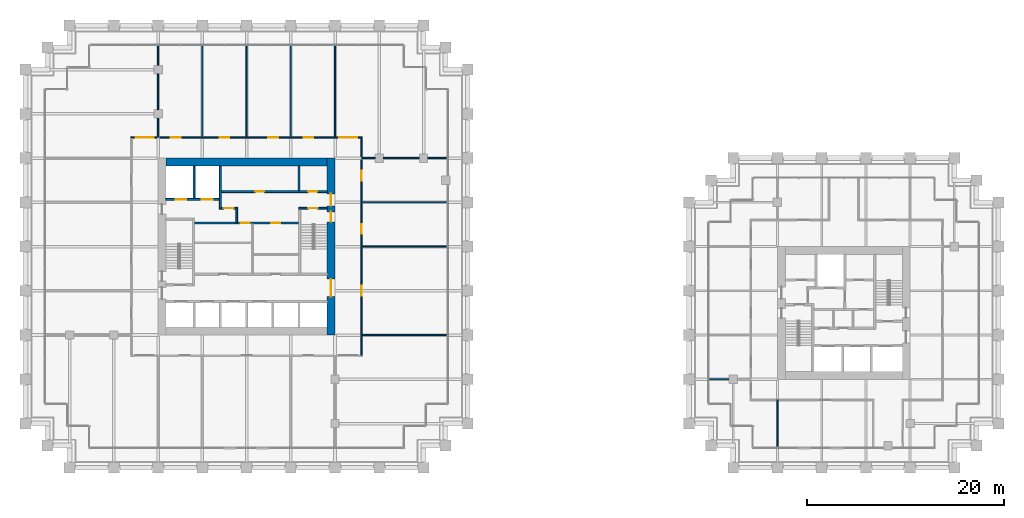
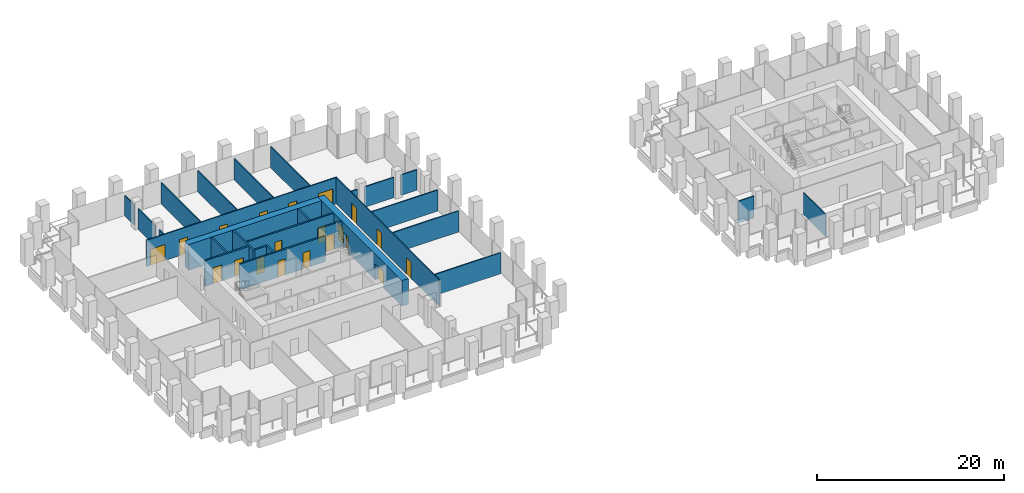
# One storey, part 50 of 55: 28 walls, 20 doors, 20 openings.
"""IFC4 building model written with IfcOpenShell, lengths in metres."""

import ifcopenshell
import ifcopenshell.guid

model = None  # the IFC model being written
_history = None  # IfcOwnerHistory: only IFC2X3 demands one
_inside = {}  # id of a spatial element -> (the spatial element, [elements in it])
_under = {}  # id of a project, library or spatial element -> (it, [spatial elements below it])
_declared = {}  # id of a project -> (the project, [libraries it declares])
_typed = {}  # id of a type object -> (the type object, [elements of that type])
_made_of = {}  # id of a material, layer set ... -> (it, [elements and type objects made of it])


def new_model(schema):
    """Start an empty IFC model of exactly this schema.

    Asked for "IFC4X3", IfcOpenShell would pick the latest addendum, in which some entities
    have other attributes; the version numbers below select the first issue.
    IFC2X3 requires an IfcOwnerHistory on every rooted entity: one is made here for all.
    """
    global model, _history
    if schema == "IFC4X3":
        model = ifcopenshell.file(schema_version=(4, 3, 0, 0))
    else:
        model = ifcopenshell.file(schema=schema)
    _inside.clear()
    _under.clear()
    _declared.clear()
    _typed.clear()
    _made_of.clear()
    _history = None
    if model.schema == "IFC2X3":
        org = make("IfcOrganization", Name="unknown")
        user = make(
            "IfcPersonAndOrganization",
            ThePerson=make("IfcPerson", FamilyName="unknown"),
            TheOrganization=org,
        )
        app = make(
            "IfcApplication",
            ApplicationDeveloper=org,
            Version="unknown",
            ApplicationFullName="unknown",
            ApplicationIdentifier="unknown",
        )
        _history = make(
            "IfcOwnerHistory",
            OwningUser=user,
            OwningApplication=app,
            ChangeAction="ADDED",
            CreationDate=0,
        )
    return model


def make(cls, **values):
    """One entity of the class cls with the attributes given. An attribute that is None is left unset."""
    return model.create_entity(
        cls, **{name: value for name, value in values.items() if value is not None}
    )


def rooted(cls, **values):
    """An entity with a GlobalId (a new one), such as an element, a storey or a relation."""
    return make(cls, GlobalId=ifcopenshell.guid.new(), OwnerHistory=_history, **values)


def si_unit(unit_type, name, prefix=None):
    """IfcSIUnit, for example si_unit("LENGTHUNIT", "METRE", prefix="MILLI")."""
    return make("IfcSIUnit", UnitType=unit_type, Prefix=prefix, Name=name)


def assignment(units):
    """IfcUnitAssignment: the units of a project."""
    return None if units is None else make("IfcUnitAssignment", Units=units)


def point(xyz):
    """IfcCartesianPoint."""
    return None if xyz is None else make("IfcCartesianPoint", Coordinates=xyz)


def direction(xyz):
    """IfcDirection."""
    return None if xyz is None else make("IfcDirection", DirectionRatios=xyz)


def frame(location, z_axis=None, x_axis=None):
    """IfcAxis2Placement3D, a coordinate frame: its origin and axes. An axis left out is left unset."""
    return make(
        "IfcAxis2Placement3D",
        Location=point(location),
        Axis=direction(z_axis),
        RefDirection=direction(x_axis),
    )


def frame_2d(location, x_axis=None):
    """IfcAxis2Placement2D, a coordinate frame in the plane: its origin and x axis."""
    return make(
        "IfcAxis2Placement2D", Location=point(location), RefDirection=direction(x_axis)
    )


def origin():
    """The frame at (0, 0, 0) with its axes left unset."""
    return frame((0.0, 0.0, 0.0))


def place(relative_to, where):
    """IfcLocalPlacement: puts the frame where relative to a parent placement (None: the world)."""
    return make(
        "IfcLocalPlacement", PlacementRelTo=relative_to, RelativePlacement=where
    )


def context(
    kind, dimensions, precision=None, world=None, true_north=None, identifier=None
):
    """IfcGeometricRepresentationContext, for example the 3D "Model" context."""
    return make(
        "IfcGeometricRepresentationContext",
        ContextIdentifier=identifier,
        ContextType=kind,
        CoordinateSpaceDimension=dimensions,
        Precision=precision,
        WorldCoordinateSystem=world,
        TrueNorth=true_north,
    )


def subcontext(parent, identifier, kind, view, scale=None):
    """IfcGeometricRepresentationSubContext, for example "Body" below "Model"."""
    return make(
        "IfcGeometricRepresentationSubContext",
        ContextIdentifier=identifier,
        ContextType=kind,
        ParentContext=parent,
        TargetScale=scale,
        TargetView=view,
    )


def project(units=None, contexts=None):
    """IfcProject with its units and contexts."""
    return rooted(
        "IfcProject",
        Name="project",
        RepresentationContexts=contexts,
        UnitsInContext=assignment(units),
    )


def spatial(cls, under=None, at=None, **own):
    """A site, building, storey or space (cls), placed at a placement, below another one or the project."""
    s = rooted(cls, ObjectPlacement=at, **own)
    if under is not None:
        _under.setdefault(under.id(), (under, []))[1].append(s)
    return s


def profile(cls, at=None, kind="AREA", **sizes):
    """A parametric profile (cls). Its sizes go by their IFC names, for example OverallWidth=200.0."""
    return make(cls, ProfileType=kind, Position=at, **sizes)


def rectangle(**sizes):
    """IfcRectangleProfileDef."""
    return profile("IfcRectangleProfileDef", **sizes)


def extrude(swept, where, along, depth):
    """IfcExtrudedAreaSolid: the profile swept, set in the frame where, extruded along a direction by depth."""
    return make(
        "IfcExtrudedAreaSolid",
        SweptArea=swept,
        Position=where,
        ExtrudedDirection=direction(along),
        Depth=depth,
    )


def shape(context_of_items, identifier, shape_type, items):
    """IfcShapeRepresentation: the items that make up one representation, for example the "Body"."""
    return make(
        "IfcShapeRepresentation",
        ContextOfItems=context_of_items,
        RepresentationIdentifier=identifier,
        RepresentationType=shape_type,
        Items=items,
    )


def material(Name=None, Category=None):
    """IfcMaterial."""
    return make("IfcMaterial", Name=Name, Category=Category)


def layer(
    of_material, thickness, ventilated=None, Name=None, Category=None, Priority=None
):
    """IfcMaterialLayer: one layer of a wall or slab, of a material (None: an air gap)."""
    return make(
        "IfcMaterialLayer",
        Material=of_material,
        LayerThickness=thickness,
        IsVentilated=ventilated,
        Name=Name,
        Category=Category,
        Priority=Priority,
    )


def layer_set(layers, Name=None):
    """IfcMaterialLayerSet."""
    return make("IfcMaterialLayerSet", MaterialLayers=layers, LayerSetName=Name)


def made_of(thing, what):
    """Note that an element or type object is made of a material, layer set ...; save() writes the relation."""
    if what is not None:
        _made_of.setdefault(what.id(), (what, []))[1].append(thing)
    return thing


def type_object(cls, material=None, **own):
    """A type object (cls), such as IfcWallType, which elements share."""
    return made_of(rooted(cls, **own), material)


def element(
    cls,
    number,
    at=None,
    inside=None,
    cuts=None,
    type_object=None,
    material=None,
    context=None,
    identifier="Body",
    shape_type=None,
    held_by="IfcProductDefinitionShape",
    body=None,
    shapes=None,
    **own,
):
    """One element of the class cls, such as IfcWall. Its Tag is "e" and its number.

    at: its placement. inside: the storey or other place that contains it. cuts: it is an
    opening in that element (IfcRelVoidsElement). A single representation is given by context,
    identifier, shape_type and body (its items); several are given by shapes. held_by: the class
    of the entity that holds the representations. save() writes the other relations.
    """
    e = rooted(cls, Tag="e%d" % number, ObjectPlacement=at, **own)
    if body is not None:
        shapes = [shape(context, identifier, shape_type, body)]
    if shapes is not None:
        e.Representation = make(held_by, Representations=shapes)
    if inside is not None:
        _inside.setdefault(inside.id(), (inside, []))[1].append(e)
    if cuts is not None:
        rooted(
            "IfcRelVoidsElement", RelatingBuildingElement=cuts, RelatedOpeningElement=e
        )
    if type_object is not None:
        _typed.setdefault(type_object.id(), (type_object, []))[1].append(e)
    return made_of(e, material)


def fill(opening, filler):
    """IfcRelFillsElement: the door or window that sits in an opening."""
    return rooted(
        "IfcRelFillsElement",
        RelatingOpeningElement=opening,
        RelatedBuildingElement=filler,
    )


def aggregate(whole, parts):
    """IfcRelAggregates: a whole, such as a stair, and the parts it consists of."""
    return rooted("IfcRelAggregates", RelatingObject=whole, RelatedObjects=parts)


def save(model, path):
    """Write the relations noted so far, then the file.

    IfcRelAggregates (storeys below a building ...), IfcRelContainedInSpatialStructure (elements
    in a storey), IfcRelDefinesByType, IfcRelAssociatesMaterial and IfcRelDeclares: one each for
    every whole, place, type object, material and project.
    """
    for whole, parts in _under.values():
        aggregate(whole, parts)
    for where, things in _inside.values():
        rooted(
            "IfcRelContainedInSpatialStructure",
            RelatedElements=things,
            RelatingStructure=where,
        )
    for kind, things in _typed.values():
        rooted("IfcRelDefinesByType", RelatedObjects=things, RelatingType=kind)
    for what, things in _made_of.values():
        rooted("IfcRelAssociatesMaterial", RelatedObjects=things, RelatingMaterial=what)
    for by, libraries in _declared.values():
        rooted("IfcRelDeclares", RelatingContext=by, RelatedDefinitions=libraries)
    model.write(path)


model = new_model("IFC4")

# Units and contexts
model_context = context("Model", 3, precision=1e-05, world=origin(), true_north=direction((0.0, 1.0)))
body_context = subcontext(model_context, "Body", "Model", "MODEL_VIEW")
ifc_project = project(units=[si_unit("LENGTHUNIT", "METRE"), si_unit("AREAUNIT", "SQUARE_METRE"), si_unit("VOLUMEUNIT", "CUBIC_METRE"), si_unit("PLANEANGLEUNIT", "RADIAN"), si_unit("MASSUNIT", "GRAM", prefix="KILO")], contexts=[model_context])

# Site, building, storey
site_placement = place(None, origin())
site = spatial("IfcSite", under=ifc_project, at=site_placement, CompositionType="ELEMENT")
building_placement = place(site_placement, origin())
building = spatial("IfcBuilding", under=site, at=building_placement, Name="Altepetl Exchange Towers", CompositionType="ELEMENT")
storey_placement = place(building_placement, frame((0.0, 0.0, 47.39990234375)))
storey = spatial("IfcBuildingStorey", under=building, at=storey_placement, Name="L10", CompositionType="ELEMENT", Elevation=47.39990234375)

# Wall, openings, doors
ifc_material_1 = material(Name="Concrete C70/85", Category="concrete")
ifc_layer_1 = layer(ifc_material_1, 0.800048828125)
ifc_layer_set_1 = layer_set([ifc_layer_1], Name="Concrete C70/85")
wall_type_1 = type_object("IfcWallType", Name="Core wall 800 reinforced concrete", PredefinedType="SHEAR", material=ifc_layer_set_1)
wall_1_placement = place(storey_placement, frame((58.10009765625, 40.5, 0.0), z_axis=(0.0, 0.0, 1.0), x_axis=(0.0, 1.0, 0.0)))
wall_1 = element("IfcWall", 1, at=wall_1_placement, inside=storey, type_object=wall_type_1, Name="wall:A:L10:K-coreE", PredefinedType="SHEAR", context=body_context, shape_type="SweptSolid", body=[
    extrude(rectangle(XDim=18.0, YDim=0.800048828125, at=frame_2d((9.0, 0.0))), origin(), (0.0, 0.0, 1.0), 3.35009765625),
])
opening_1_placement = place(wall_1_placement, frame((13.14990234375, 0.0, 0.0)))
opening_1 = element("IfcOpeningElement", 2, at=opening_1_placement, cuts=wall_1, Name="Opening L10.A60", PredefinedType="OPENING", context=body_context, shape_type="SweptSolid", body=[
    extrude(rectangle(XDim=1.199951171875, YDim=2.10009765625, at=frame_2d((0.60009765625, 1.050048828125))), frame((0.0, 0.41015625, 0.0), z_axis=(0.0, -1.0, 0.0), x_axis=(1.0, 0.0, 0.0)), (0.0, 0.0, 1.0), 0.820068359375),
])
opening_2_placement = place(wall_1_placement, frame((3.89990234375, 0.0, 0.0)))
opening_2 = element("IfcOpeningElement", 3, at=opening_2_placement, cuts=wall_1, Name="Opening L10.A61", PredefinedType="OPENING", context=body_context, shape_type="SweptSolid", body=[
    extrude(rectangle(XDim=1.800048828125, YDim=2.10009765625, at=frame_2d((0.89990234375, 1.050048828125))), frame((0.0, 0.41015625, 0.0), z_axis=(0.0, -1.0, 0.0), x_axis=(1.0, 0.0, 0.0)), (0.0, 0.0, 1.0), 0.820068359375),
])
opening_3_placement = place(wall_1_placement, frame((11.52490234375, 0.0, 0.0)))
opening_3 = element("IfcOpeningElement", 4, at=opening_3_placement, cuts=wall_1, Name="Opening L10.A66", PredefinedType="OPENING", context=body_context, shape_type="SweptSolid", body=[
    extrude(rectangle(XDim=1.0, YDim=2.10009765625, at=frame_2d((0.5, 1.050048828125))), frame((0.0, 0.41015625, 0.0), z_axis=(0.0, -1.0, 0.0), x_axis=(1.0, 0.0, 0.0)), (0.0, 0.0, 1.0), 0.820068359375),
])
ifc_material_2 = material(Name="Steel and timber fire door", Category="steel")
door_type_1 = type_object("IfcDoorType", Name="Fire door 1000 x 2100 stair and lobby", OperationType="SINGLE_SWING_LEFT", PredefinedType="DOOR", material=ifc_material_2)
door_1_placement = place(opening_3_placement, origin())
door_1 = element("IfcDoor", 5, at=door_1_placement, inside=storey, type_object=door_type_1, Name="door:A:L10:K-dS2x", OperationType="SINGLE_SWING_RIGHT", OverallHeight=2.10009765625, OverallWidth=1.0, PredefinedType="DOOR", context=body_context, shape_type="SweptSolid", body=[
    extrude(rectangle(XDim=1.0, YDim=2.10009765625, at=frame_2d((0.5, 1.050048828125))), frame((0.0, 0.02490234375, 0.0), z_axis=(0.0, -1.0, 0.0), x_axis=(1.0, 0.0, 0.0)), (0.0, 0.0, 1.0), 0.050048828125),
])
fill(opening_3, door_1)
door_type_2 = type_object("IfcDoorType", Name="Fire door 1200 x 2100 lobby entry", OperationType="SINGLE_SWING_LEFT", PredefinedType="DOOR", material=ifc_material_2)
door_2_placement = place(opening_1_placement, origin())
door_2 = element("IfcDoor", 6, at=door_2_placement, inside=storey, type_object=door_type_2, Name="door:A:L10:K-dLNE", OperationType="SINGLE_SWING_RIGHT", OverallHeight=2.10009765625, OverallWidth=1.199951171875, PredefinedType="DOOR", context=body_context, shape_type="SweptSolid", body=[
    extrude(rectangle(XDim=1.199951171875, YDim=2.10009765625, at=frame_2d((0.60009765625, 1.050048828125))), frame((0.0, 0.02490234375, 0.0), z_axis=(0.0, -1.0, 0.0), x_axis=(1.0, 0.0, 0.0)), (0.0, 0.0, 1.0), 0.050048828125),
])
fill(opening_1, door_2)
door_type_3 = type_object("IfcDoorType", Name="Fire door 1800 x 2100 lobby entry", OperationType="DOUBLE_DOOR_SINGLE_SWING", PredefinedType="DOOR", material=ifc_material_2)
door_3_placement = place(opening_2_placement, origin())
door_3 = element("IfcDoor", 7, at=door_3_placement, inside=storey, type_object=door_type_3, Name="door:A:L10:K-dLSE", OperationType="DOUBLE_DOOR_SINGLE_SWING", OverallHeight=2.10009765625, OverallWidth=1.800048828125, PredefinedType="DOOR", context=body_context, shape_type="SweptSolid", body=[
    extrude(rectangle(XDim=1.800048828125, YDim=2.10009765625, at=frame_2d((0.89990234375, 1.050048828125))), frame((0.0, 0.02490234375, 0.0), z_axis=(0.0, -1.0, 0.0), x_axis=(1.0, 0.0, 0.0)), (0.0, 0.0, 1.0), 0.050048828125),
])
fill(opening_2, door_3)

# Walls
wall_2_placement = place(storey_placement, frame((41.300048828125, 58.10009765625, 0.0)))
element("IfcWall", 8, at=wall_2_placement, inside=storey, type_object=wall_type_1, Name="wall:A:L10:K-coreN", PredefinedType="SHEAR", context=body_context, shape_type="SweptSolid", body=[
    extrude(rectangle(XDim=16.39990234375, YDim=0.800048828125, at=frame_2d((8.199951171875, 0.0))), origin(), (0.0, 0.0, 1.0), 3.35009765625),
])
ifc_material_3 = material(Name="Concrete blockwork", Category="masonry")
ifc_layer_2 = layer(ifc_material_3, 0.199951171875)
ifc_layer_set_2 = layer_set([ifc_layer_2], Name="Concrete blockwork")
wall_type_2 = type_object("IfcWallType", Name="Lobby wall 200 blockwork", PredefinedType="PARTITIONING", material=ifc_layer_set_2)
wall_3_placement = place(storey_placement, frame((48.5, 51.89990234375, 0.0), z_axis=(0.0, 0.0, 1.0), x_axis=(0.0, 1.0, 0.0)))
element("IfcWall", 9, at=wall_3_placement, inside=storey, type_object=wall_type_2, Name="wall:A:L10:K-ffE", PredefinedType="PARTITIONING", context=body_context, shape_type="SweptSolid", body=[
    extrude(rectangle(XDim=1.60009765625, YDim=0.199951171875, at=frame_2d((0.800048828125, 0.0))), origin(), (0.0, 0.0, 1.0), 3.35009765625),
])

# Wall, opening, door
wall_4_placement = place(storey_placement, frame((46.933349609375, 53.39990234375, 0.0)))
wall_4 = element("IfcWall", 10, at=wall_4_placement, inside=storey, type_object=wall_type_2, Name="wall:A:L10:K-ffN", PredefinedType="PARTITIONING", context=body_context, shape_type="SweptSolid", body=[
    extrude(rectangle(XDim=1.466552734375, YDim=0.199951171875, at=frame_2d((0.7333984375, 0.0))), origin(), (0.0, 0.0, 1.0), 3.35009765625),
])
opening_4_placement = place(wall_4_placement, frame((0.2666015625, 0.0, 0.0)))
opening_4 = element("IfcOpeningElement", 11, at=opening_4_placement, cuts=wall_4, Name="Opening L10.A67", PredefinedType="OPENING", context=body_context, shape_type="SweptSolid", body=[
    extrude(rectangle(XDim=1.0, YDim=2.10009765625, at=frame_2d((0.5, 1.050048828125))), frame((0.0, 0.10986328125, 0.0), z_axis=(0.0, -1.0, 0.0), x_axis=(1.0, 0.0, 0.0)), (0.0, 0.0, 1.0), 0.219970703125),
])
door_4_placement = place(opening_4_placement, frame((1.0, 0.0, 0.0), x_axis=(-1.0, 0.0, 0.0)))
door_4 = element("IfcDoor", 12, at=door_4_placement, inside=storey, type_object=door_type_1, Name="door:A:L10:K-dffN", OperationType="SINGLE_SWING_RIGHT", OverallHeight=2.10009765625, OverallWidth=1.0, PredefinedType="DOOR", context=body_context, shape_type="SweptSolid", body=[
    extrude(rectangle(XDim=1.0, YDim=2.10009765625, at=frame_2d((0.5, 1.050048828125))), frame((0.0, 0.02490234375, 0.0), z_axis=(0.0, -1.0, 0.0), x_axis=(1.0, 0.0, 0.0)), (0.0, 0.0, 1.0), 0.050048828125),
])
fill(opening_4, door_4)

# Wall, openings, doors
wall_5_placement = place(storey_placement, frame((44.199951171875, 51.89990234375, 0.0)))
wall_5 = element("IfcWall", 13, at=wall_5_placement, inside=storey, type_object=wall_type_2, Name="wall:A:L10:K-zoneN", PredefinedType="PARTITIONING", context=body_context, shape_type="SweptSolid", body=[
    extrude(rectangle(XDim=10.60009765625, YDim=0.199951171875, at=frame_2d((5.300048828125, 0.0))), origin(), (0.0, 0.0, 1.0), 3.35009765625),
])
opening_5_placement = place(wall_5_placement, frame((4.72509765625, 0.0, 0.0)))
opening_5 = element("IfcOpeningElement", 14, at=opening_5_placement, cuts=wall_5, Name="Opening L10.A72", PredefinedType="OPENING", context=body_context, shape_type="SweptSolid", body=[
    extrude(rectangle(XDim=0.89990234375, YDim=2.10009765625, at=frame_2d((0.449951171875, 1.050048828125))), frame((0.0, 0.10986328125, 0.0), z_axis=(0.0, -1.0, 0.0), x_axis=(1.0, 0.0, 0.0)), (0.0, 0.0, 1.0), 0.219970703125),
])
opening_6_placement = place(wall_5_placement, frame((7.800048828125, 0.0, 0.0)))
opening_6 = element("IfcOpeningElement", 15, at=opening_6_placement, cuts=wall_5, Name="Opening L10.A74", PredefinedType="OPENING", context=body_context, shape_type="SweptSolid", body=[
    extrude(rectangle(XDim=0.89990234375, YDim=2.10009765625, at=frame_2d((0.449951171875, 1.050048828125))), frame((0.0, 0.10986328125, 0.0), z_axis=(0.0, -1.0, 0.0), x_axis=(1.0, 0.0, 0.0)), (0.0, 0.0, 1.0), 0.219970703125),
])
door_type_4 = type_object("IfcDoorType", Name="Fire door 900 x 2100 service room", OperationType="SINGLE_SWING_LEFT", PredefinedType="DOOR", material=ifc_material_2)
door_5_placement = place(opening_5_placement, frame((0.89990234375, 0.0, 0.0), x_axis=(-1.0, 0.0, 0.0)))
door_5 = element("IfcDoor", 16, at=door_5_placement, inside=storey, type_object=door_type_4, Name="door:A:L10:K-dz2", OperationType="SINGLE_SWING_RIGHT", OverallHeight=2.10009765625, OverallWidth=0.89990234375, PredefinedType="DOOR", context=body_context, shape_type="SweptSolid", body=[
    extrude(rectangle(XDim=0.89990234375, YDim=2.10009765625, at=frame_2d((0.449951171875, 1.050048828125))), frame((0.0, 0.02490234375, 0.0), z_axis=(0.0, -1.0, 0.0), x_axis=(1.0, 0.0, 0.0)), (0.0, 0.0, 1.0), 0.050048828125),
])
fill(opening_5, door_5)
door_6_placement = place(opening_6_placement, frame((0.89990234375, 0.0, 0.0), x_axis=(-1.0, 0.0, 0.0)))
door_6 = element("IfcDoor", 17, at=door_6_placement, inside=storey, type_object=door_type_4, Name="door:A:L10:K-dz4", OperationType="SINGLE_SWING_LEFT", OverallHeight=2.10009765625, OverallWidth=0.89990234375, PredefinedType="DOOR", context=body_context, shape_type="SweptSolid", body=[
    extrude(rectangle(XDim=0.89990234375, YDim=2.10009765625, at=frame_2d((0.449951171875, 1.050048828125))), frame((0.0, 0.02490234375, 0.0), z_axis=(0.0, -1.0, 0.0), x_axis=(1.0, 0.0, 0.0)), (0.0, 0.0, 1.0), 0.050048828125),
])
fill(opening_6, door_6)

# Walls
ifc_material_4 = material(Name="Gypsum board on steel studs", Category="steel")
ifc_layer_3 = layer(ifc_material_4, 0.125)
ifc_layer_set_3 = layer_set([ifc_layer_3], Name="Gypsum board on steel studs")
wall_type_3 = type_object("IfcWallType", Name="Partition 125 gypsum board on steel studs", PredefinedType="PARTITIONING", material=ifc_layer_set_3)
for number, where, name in (
    (18, (61.199951171875, 40.5, 0.0), "wall:A:L10:P05"),
    (19, (61.199951171875, 49.5, 0.0), "wall:A:L10:P07"),
    (20, (61.199951171875, 54.0, 0.0), "wall:A:L10:P09"),
):
    element("IfcWall", number, at=place(storey_placement, frame(where)), inside=storey, type_object=wall_type_3, Name=name, PredefinedType="PARTITIONING", context=body_context, shape_type="SweptSolid", body=[
        extrude(rectangle(XDim=8.699951171875, YDim=0.125, at=frame_2d((4.35009765625, 0.0))), origin(), (0.0, 0.0, 1.0), 2.76611328125),
    ])
wall_6_placement = place(storey_placement, frame((61.199951171875, 58.5, 0.0)))
element("IfcWall", 21, at=wall_6_placement, inside=storey, type_object=wall_type_3, Name="wall:A:L10:P11", PredefinedType="PARTITIONING", context=body_context, shape_type="SweptSolid", body=[
    extrude(rectangle(XDim=1.375, YDim=0.125, at=frame_2d((0.6875, 0.0))), origin(), (0.0, 0.0, 1.0), 2.676025390625),
])
wall_7_placement = place(storey_placement, frame((63.425048828125, 58.5, 0.0)))
element("IfcWall", 22, at=wall_7_placement, inside=storey, type_object=wall_type_3, Name="wall:A:L10:P12", PredefinedType="PARTITIONING", context=body_context, shape_type="SweptSolid", body=[
    extrude(rectangle(XDim=3.64990234375, YDim=0.125, at=frame_2d((1.824951171875, 0.0))), origin(), (0.0, 0.0, 1.0), 2.676025390625),
])
wall_8_placement = place(storey_placement, frame((67.925048828125, 58.5, 0.0)))
element("IfcWall", 23, at=wall_8_placement, inside=storey, type_object=wall_type_3, Name="wall:A:L10:P13", PredefinedType="PARTITIONING", context=body_context, shape_type="SweptSolid", body=[
    extrude(rectangle(XDim=1.974853515625, YDim=0.125, at=frame_2d((0.9873046875, 0.0))), origin(), (0.0, 0.0, 1.0), 2.676025390625),
])

# Wall, openings, doors
wall_9_placement = place(storey_placement, frame((37.737548828125, 60.60009765625, 0.0)))
wall_9 = element("IfcWall", 24, at=wall_9_placement, inside=storey, type_object=wall_type_3, Name="wall:A:L10:P14", PredefinedType="PARTITIONING", context=body_context, shape_type="SweptSolid", body=[
    extrude(rectangle(XDim=23.52490234375, YDim=0.125, at=frame_2d((11.762451171875, 0.0))), origin(), (0.0, 0.0, 1.0), 3.4501953125),
])
opening_7_placement = place(wall_9_placement, frame((21.21240234375, 0.0, 0.0)))
opening_7 = element("IfcOpeningElement", 25, at=opening_7_placement, cuts=wall_9, Name="Opening L10.A10", PredefinedType="OPENING", context=body_context, shape_type="SweptSolid", body=[
    extrude(rectangle(XDim=1.800048828125, YDim=2.10009765625, at=frame_2d((0.89990234375, 1.050048828125))), frame((0.0, 0.072509765625, 0.0), z_axis=(0.0, -1.0, 0.0), x_axis=(1.0, 0.0, 0.0)), (0.0, 0.0, 1.0), 0.14501953125),
])
opening_8_placement = place(wall_9_placement, frame((17.5576171875, 0.0, 0.0)))
opening_8 = element("IfcOpeningElement", 26, at=opening_8_placement, cuts=wall_9, Name="Opening L10.A11", PredefinedType="OPENING", context=body_context, shape_type="SweptSolid", body=[
    extrude(rectangle(XDim=1.0, YDim=2.10009765625, at=frame_2d((0.5, 1.050048828125))), frame((0.0, 0.072509765625, 0.0), z_axis=(0.0, -1.0, 0.0), x_axis=(1.0, 0.0, 0.0)), (0.0, 0.0, 1.0), 0.14501953125),
])
opening_9_placement = place(wall_9_placement, frame((13.967529296875, 0.0, 0.0)))
opening_9 = element("IfcOpeningElement", 27, at=opening_9_placement, cuts=wall_9, Name="Opening L10.A12", PredefinedType="OPENING", context=body_context, shape_type="SweptSolid", body=[
    extrude(rectangle(XDim=1.0, YDim=2.10009765625, at=frame_2d((0.5, 1.050048828125))), frame((0.0, 0.072509765625, 0.0), z_axis=(0.0, -1.0, 0.0), x_axis=(1.0, 0.0, 0.0)), (0.0, 0.0, 1.0), 0.14501953125),
])
opening_10_placement = place(wall_9_placement, frame((9.012451171875, 0.0, 0.0)))
opening_10 = element("IfcOpeningElement", 28, at=opening_10_placement, cuts=wall_9, Name="Opening L10.A13", PredefinedType="OPENING", context=body_context, shape_type="SweptSolid", body=[
    extrude(rectangle(XDim=1.0, YDim=2.10009765625, at=frame_2d((0.5, 1.050048828125))), frame((0.0, 0.072509765625, 0.0), z_axis=(0.0, -1.0, 0.0), x_axis=(1.0, 0.0, 0.0)), (0.0, 0.0, 1.0), 0.14501953125),
])
opening_11_placement = place(wall_9_placement, frame((4.0576171875, 0.0, 0.0)))
opening_11 = element("IfcOpeningElement", 29, at=opening_11_placement, cuts=wall_9, Name="Opening L10.A14", PredefinedType="OPENING", context=body_context, shape_type="SweptSolid", body=[
    extrude(rectangle(XDim=1.0, YDim=2.10009765625, at=frame_2d((0.5, 1.050048828125))), frame((0.0, 0.072509765625, 0.0), z_axis=(0.0, -1.0, 0.0), x_axis=(1.0, 0.0, 0.0)), (0.0, 0.0, 1.0), 0.14501953125),
])
opening_12_placement = place(wall_9_placement, frame((0.512451171875, 0.0, 0.0)))
opening_12 = element("IfcOpeningElement", 30, at=opening_12_placement, cuts=wall_9, Name="Opening L10.A15", PredefinedType="OPENING", context=body_context, shape_type="SweptSolid", body=[
    extrude(rectangle(XDim=1.800048828125, YDim=2.10009765625, at=frame_2d((0.89990234375, 1.050048828125))), frame((0.0, 0.072509765625, 0.0), z_axis=(0.0, -1.0, 0.0), x_axis=(1.0, 0.0, 0.0)), (0.0, 0.0, 1.0), 0.14501953125),
])
door_type_5 = type_object("IfcDoorType", Name="Fire door 1000 x 2100 single leaf", OperationType="SINGLE_SWING_LEFT", PredefinedType="DOOR", material=ifc_material_2)
door_7_placement = place(opening_8_placement, origin())
door_7 = element("IfcDoor", 31, at=door_7_placement, inside=storey, type_object=door_type_5, Name="door:A:L10:11", OperationType="SINGLE_SWING_RIGHT", OverallHeight=2.10009765625, OverallWidth=1.0, PredefinedType="DOOR", context=body_context, shape_type="SweptSolid", body=[
    extrude(rectangle(XDim=1.0, YDim=2.10009765625, at=frame_2d((0.5, 1.050048828125))), frame((0.0, 0.02490234375, 0.0), z_axis=(0.0, -1.0, 0.0), x_axis=(1.0, 0.0, 0.0)), (0.0, 0.0, 1.0), 0.050048828125),
])
fill(opening_8, door_7)
door_8_placement = place(opening_9_placement, origin())
door_8 = element("IfcDoor", 32, at=door_8_placement, inside=storey, type_object=door_type_5, Name="door:A:L10:12", OperationType="SINGLE_SWING_LEFT", OverallHeight=2.10009765625, OverallWidth=1.0, PredefinedType="DOOR", context=body_context, shape_type="SweptSolid", body=[
    extrude(rectangle(XDim=1.0, YDim=2.10009765625, at=frame_2d((0.5, 1.050048828125))), frame((0.0, 0.02490234375, 0.0), z_axis=(0.0, -1.0, 0.0), x_axis=(1.0, 0.0, 0.0)), (0.0, 0.0, 1.0), 0.050048828125),
])
fill(opening_9, door_8)
door_9_placement = place(opening_10_placement, origin())
door_9 = element("IfcDoor", 33, at=door_9_placement, inside=storey, type_object=door_type_5, Name="door:A:L10:13", OperationType="SINGLE_SWING_RIGHT", OverallHeight=2.10009765625, OverallWidth=1.0, PredefinedType="DOOR", context=body_context, shape_type="SweptSolid", body=[
    extrude(rectangle(XDim=1.0, YDim=2.10009765625, at=frame_2d((0.5, 1.050048828125))), frame((0.0, 0.02490234375, 0.0), z_axis=(0.0, -1.0, 0.0), x_axis=(1.0, 0.0, 0.0)), (0.0, 0.0, 1.0), 0.050048828125),
])
fill(opening_10, door_9)
door_10_placement = place(opening_11_placement, origin())
door_10 = element("IfcDoor", 34, at=door_10_placement, inside=storey, type_object=door_type_5, Name="door:A:L10:14", OperationType="SINGLE_SWING_LEFT", OverallHeight=2.10009765625, OverallWidth=1.0, PredefinedType="DOOR", context=body_context, shape_type="SweptSolid", body=[
    extrude(rectangle(XDim=1.0, YDim=2.10009765625, at=frame_2d((0.5, 1.050048828125))), frame((0.0, 0.02490234375, 0.0), z_axis=(0.0, -1.0, 0.0), x_axis=(1.0, 0.0, 0.0)), (0.0, 0.0, 1.0), 0.050048828125),
])
fill(opening_11, door_10)
door_type_6 = type_object("IfcDoorType", Name="Fire door 1800 x 2100 double leaf", OperationType="DOUBLE_DOOR_SINGLE_SWING", PredefinedType="DOOR", material=ifc_material_2)
door_11_placement = place(opening_7_placement, origin())
door_11 = element("IfcDoor", 35, at=door_11_placement, inside=storey, type_object=door_type_6, Name="door:A:L10:10", OperationType="DOUBLE_DOOR_SINGLE_SWING", OverallHeight=2.10009765625, OverallWidth=1.800048828125, PredefinedType="DOOR", context=body_context, shape_type="SweptSolid", body=[
    extrude(rectangle(XDim=1.800048828125, YDim=2.10009765625, at=frame_2d((0.89990234375, 1.050048828125))), frame((0.0, 0.02490234375, 0.0), z_axis=(0.0, -1.0, 0.0), x_axis=(1.0, 0.0, 0.0)), (0.0, 0.0, 1.0), 0.050048828125),
])
fill(opening_7, door_11)
door_12_placement = place(opening_12_placement, origin())
door_12 = element("IfcDoor", 36, at=door_12_placement, inside=storey, type_object=door_type_6, Name="door:A:L10:15", OperationType="DOUBLE_DOOR_SINGLE_SWING", OverallHeight=2.10009765625, OverallWidth=1.800048828125, PredefinedType="DOOR", context=body_context, shape_type="SweptSolid", body=[
    extrude(rectangle(XDim=1.800048828125, YDim=2.10009765625, at=frame_2d((0.89990234375, 1.050048828125))), frame((0.0, 0.02490234375, 0.0), z_axis=(0.0, -1.0, 0.0), x_axis=(1.0, 0.0, 0.0)), (0.0, 0.0, 1.0), 0.050048828125),
])
fill(opening_12, door_12)

# Walls
wall_10_placement = place(storey_placement, frame((40.5, 60.60009765625, 0.0), z_axis=(0.0, 0.0, 1.0), x_axis=(0.0, 1.0, 0.0)))
element("IfcWall", 37, at=wall_10_placement, inside=storey, type_object=wall_type_3, Name="wall:A:L10:P17", PredefinedType="PARTITIONING", context=body_context, shape_type="SweptSolid", body=[
    extrude(rectangle(XDim=1.974853515625, YDim=0.125, at=frame_2d((0.9873046875, 0.0))), origin(), (0.0, 0.0, 1.0), 2.676025390625),
])
wall_11_placement = place(storey_placement, frame((40.5, 63.425048828125, 0.0), z_axis=(0.0, 0.0, 1.0), x_axis=(0.0, 1.0, 0.0)))
element("IfcWall", 38, at=wall_11_placement, inside=storey, type_object=wall_type_3, Name="wall:A:L10:P18", PredefinedType="PARTITIONING", context=body_context, shape_type="SweptSolid", body=[
    extrude(rectangle(XDim=3.64990234375, YDim=0.125, at=frame_2d((1.824951171875, 0.0))), origin(), (0.0, 0.0, 1.0), 2.676025390625),
])
wall_12_placement = place(storey_placement, frame((40.5, 67.925048828125, 0.0), z_axis=(0.0, 0.0, 1.0), x_axis=(0.0, 1.0, 0.0)))
element("IfcWall", 39, at=wall_12_placement, inside=storey, type_object=wall_type_3, Name="wall:A:L10:P19", PredefinedType="PARTITIONING", context=body_context, shape_type="SweptSolid", body=[
    extrude(rectangle(XDim=1.974853515625, YDim=0.125, at=frame_2d((0.9873046875, 0.0))), origin(), (0.0, 0.0, 1.0), 2.676025390625),
])
for number, where, z_axis, x_axis, name in (
    (40, (45.0, 60.60009765625, 0.0), (0.0, 0.0, 1.0), (0.0, 1.0, 0.0), "wall:A:L10:P21"),
    (41, (49.5, 60.60009765625, 0.0), (0.0, 0.0, 1.0), (0.0, 1.0, 0.0), "wall:A:L10:P22"),
    (42, (54.0, 60.60009765625, 0.0), (0.0, 0.0, 1.0), (0.0, 1.0, 0.0), "wall:A:L10:P24"),
    (43, (58.5, 60.60009765625, 0.0), (0.0, 0.0, 1.0), (0.0, 1.0, 0.0), "wall:A:L10:P28"),
):
    element("IfcWall", number, at=place(storey_placement, frame(where, z_axis=z_axis, x_axis=x_axis)), inside=storey, type_object=wall_type_3, Name=name, PredefinedType="PARTITIONING", context=body_context, shape_type="SweptSolid", body=[
        extrude(rectangle(XDim=9.2998046875, YDim=0.125, at=frame_2d((4.64990234375, 0.0))), origin(), (0.0, 0.0, 1.0), 2.76611328125),
    ])

# Wall, openings, doors
wall_13_placement = place(storey_placement, frame((61.199951171875, 38.46240234375, 0.0), z_axis=(0.0, 0.0, 1.0), x_axis=(0.0, 1.0, 0.0)))
wall_13 = element("IfcWall", 44, at=wall_13_placement, inside=storey, type_object=wall_type_3, Name="wall:A:L10:P29", PredefinedType="PARTITIONING", context=body_context, shape_type="SweptSolid", body=[
    extrude(rectangle(XDim=22.0751953125, YDim=0.125, at=frame_2d((11.03759765625, 0.0))), origin(), (0.0, 0.0, 1.0), 3.4501953125),
])
opening_13_placement = place(wall_13_placement, frame((6.03759765625, 0.0, 0.0)))
opening_13 = element("IfcOpeningElement", 45, at=opening_13_placement, cuts=wall_13, Name="Opening L10.A07", PredefinedType="OPENING", context=body_context, shape_type="SweptSolid", body=[
    extrude(rectangle(XDim=1.0, YDim=2.10009765625, at=frame_2d((0.5, 1.050048828125))), frame((0.0, 0.072509765625, 0.0), z_axis=(0.0, -1.0, 0.0), x_axis=(1.0, 0.0, 0.0)), (0.0, 0.0, 1.0), 0.14501953125),
])
opening_14_placement = place(wall_13_placement, frame((12.33251953125, 0.0, 0.0)))
opening_14 = element("IfcOpeningElement", 46, at=opening_14_placement, cuts=wall_13, Name="Opening L10.A08", PredefinedType="OPENING", context=body_context, shape_type="SweptSolid", body=[
    extrude(rectangle(XDim=1.0, YDim=2.10009765625, at=frame_2d((0.5, 1.050048828125))), frame((0.0, 0.072509765625, 0.0), z_axis=(0.0, -1.0, 0.0), x_axis=(1.0, 0.0, 0.0)), (0.0, 0.0, 1.0), 0.14501953125),
])
opening_15_placement = place(wall_13_placement, frame((17.742431640625, 0.0, 0.0)))
opening_15 = element("IfcOpeningElement", 47, at=opening_15_placement, cuts=wall_13, Name="Opening L10.A09", PredefinedType="OPENING", context=body_context, shape_type="SweptSolid", body=[
    extrude(rectangle(XDim=1.0, YDim=2.10009765625, at=frame_2d((0.5, 1.050048828125))), frame((0.0, 0.072509765625, 0.0), z_axis=(0.0, -1.0, 0.0), x_axis=(1.0, 0.0, 0.0)), (0.0, 0.0, 1.0), 0.14501953125),
])
door_13_placement = place(opening_13_placement, frame((1.0, 0.0, 0.0), x_axis=(-1.0, 0.0, 0.0)))
door_13 = element("IfcDoor", 48, at=door_13_placement, inside=storey, type_object=door_type_5, Name="door:A:L10:07", OperationType="SINGLE_SWING_RIGHT", OverallHeight=2.10009765625, OverallWidth=1.0, PredefinedType="DOOR", context=body_context, shape_type="SweptSolid", body=[
    extrude(rectangle(XDim=1.0, YDim=2.10009765625, at=frame_2d((0.5, 1.050048828125))), frame((0.0, 0.02490234375, 0.0), z_axis=(0.0, -1.0, 0.0), x_axis=(1.0, 0.0, 0.0)), (0.0, 0.0, 1.0), 0.050048828125),
])
fill(opening_13, door_13)
door_14_placement = place(opening_14_placement, frame((1.0, 0.0, 0.0), x_axis=(-1.0, 0.0, 0.0)))
door_14 = element("IfcDoor", 49, at=door_14_placement, inside=storey, type_object=door_type_5, Name="door:A:L10:08", OperationType="SINGLE_SWING_RIGHT", OverallHeight=2.10009765625, OverallWidth=1.0, PredefinedType="DOOR", context=body_context, shape_type="SweptSolid", body=[
    extrude(rectangle(XDim=1.0, YDim=2.10009765625, at=frame_2d((0.5, 1.050048828125))), frame((0.0, 0.02490234375, 0.0), z_axis=(0.0, -1.0, 0.0), x_axis=(1.0, 0.0, 0.0)), (0.0, 0.0, 1.0), 0.050048828125),
])
fill(opening_14, door_14)
door_15_placement = place(opening_15_placement, frame((1.0, 0.0, 0.0), x_axis=(-1.0, 0.0, 0.0)))
door_15 = element("IfcDoor", 50, at=door_15_placement, inside=storey, type_object=door_type_5, Name="door:A:L10:09", OperationType="SINGLE_SWING_LEFT", OverallHeight=2.10009765625, OverallWidth=1.0, PredefinedType="DOOR", context=body_context, shape_type="SweptSolid", body=[
    extrude(rectangle(XDim=1.0, YDim=2.10009765625, at=frame_2d((0.5, 1.050048828125))), frame((0.0, 0.02490234375, 0.0), z_axis=(0.0, -1.0, 0.0), x_axis=(1.0, 0.0, 0.0)), (0.0, 0.0, 1.0), 0.050048828125),
])
fill(opening_15, door_15)

# Walls
wall_14_placement = place(storey_placement, frame((96.60009765625, 36.0, 0.0)))
element("IfcWall", 51, at=wall_14_placement, inside=storey, type_object=wall_type_3, Name="wall:B:L10:P03", PredefinedType="PARTITIONING", context=body_context, shape_type="SweptSolid", body=[
    extrude(rectangle(XDim=1.974853515625, YDim=0.125, at=frame_2d((0.9873046875, 0.0))), origin(), (0.0, 0.0, 1.0), 2.842041015625),
])
wall_15_placement = place(storey_placement, frame((103.5, 29.10009765625, 0.0), z_axis=(0.0, 0.0, 1.0), x_axis=(0.0, 1.0, 0.0)))
element("IfcWall", 52, at=wall_15_placement, inside=storey, type_object=wall_type_3, Name="wall:B:L10:P15", PredefinedType="PARTITIONING", context=body_context, shape_type="SweptSolid", body=[
    extrude(rectangle(XDim=4.7998046875, YDim=0.125, at=frame_2d((2.39990234375, 0.0))), origin(), (0.0, 0.0, 1.0), 2.85107421875),
])
ifc_material_5 = material(Name="Concrete C40/50", Category="concrete")
ifc_layer_4 = layer(ifc_material_5, 0.199951171875)
ifc_layer_set_4 = layer_set([ifc_layer_4], Name="Concrete C40/50")
wall_type_4 = type_object("IfcWallType", Name="Shaft wall 200 reinforced concrete", PredefinedType="SHEAR", material=ifc_layer_set_4)
wall_16_placement = place(storey_placement, frame((44.166748046875, 57.699951171875, 0.0), z_axis=(0.0, 0.0, 1.0), x_axis=(0.0, -1.0, 0.0)))
element("IfcWall", 53, at=wall_16_placement, inside=storey, type_object=wall_type_4, Name="wall:A:L10:K-divN1", PredefinedType="SHEAR", context=body_context, shape_type="SweptSolid", body=[
    extrude(rectangle(XDim=3.300048828125, YDim=0.199951171875, at=frame_2d((1.64990234375, 0.0))), origin(), (0.0, 0.0, 1.0), 3.35009765625),
])
wall_17_placement = place(storey_placement, frame((46.833251953125, 57.699951171875, 0.0), z_axis=(0.0, 0.0, 1.0), x_axis=(0.0, -1.0, 0.0)))
element("IfcWall", 54, at=wall_17_placement, inside=storey, type_object=wall_type_4, Name="wall:A:L10:K-divN2", PredefinedType="SHEAR", context=body_context, shape_type="SweptSolid", body=[
    extrude(rectangle(XDim=4.39990234375, YDim=0.199951171875, at=frame_2d((2.199951171875, 0.0))), origin(), (0.0, 0.0, 1.0), 3.35009765625),
])
wall_18_placement = place(storey_placement, frame((54.833251953125, 57.699951171875, 0.0), z_axis=(0.0, 0.0, 1.0), x_axis=(0.0, -1.0, 0.0)))
element("IfcWall", 55, at=wall_18_placement, inside=storey, type_object=wall_type_4, Name="wall:A:L10:K-divN5", PredefinedType="SHEAR", context=body_context, shape_type="SweptSolid", body=[
    extrude(rectangle(XDim=2.5, YDim=0.199951171875, at=frame_2d((1.25, 0.0))), origin(), (0.0, 0.0, 1.0), 3.35009765625),
])

# Wall, openings, doors
wall_19_placement = place(storey_placement, frame((46.933349609375, 55.10009765625, 0.0)))
wall_19 = element("IfcWall", 56, at=wall_19_placement, inside=storey, type_object=wall_type_4, Name="wall:A:L10:K-frontNb", PredefinedType="SHEAR", context=body_context, shape_type="SweptSolid", body=[
    extrude(rectangle(XDim=10.7666015625, YDim=0.199951171875, at=frame_2d((5.38330078125, 0.0))), origin(), (0.0, 0.0, 1.0), 3.35009765625),
])
opening_16_placement = place(wall_19_placement, frame((8.83349609375, 0.0, 0.0)))
opening_16 = element("IfcOpeningElement", 57, at=opening_16_placement, cuts=wall_19, Name="Opening L10.A69", PredefinedType="OPENING", context=body_context, shape_type="SweptSolid", body=[
    extrude(rectangle(XDim=0.89990234375, YDim=2.10009765625, at=frame_2d((0.449951171875, 1.050048828125))), frame((0.0, 0.10986328125, 0.0), z_axis=(0.0, -1.0, 0.0), x_axis=(1.0, 0.0, 0.0)), (0.0, 0.0, 1.0), 0.219970703125),
])
opening_17_placement = place(wall_19_placement, frame((3.449951171875, 0.0, 0.0)))
opening_17 = element("IfcOpeningElement", 58, at=opening_17_placement, cuts=wall_19, Name="Opening L10.A70", PredefinedType="OPENING", context=body_context, shape_type="SweptSolid", body=[
    extrude(rectangle(XDim=0.89990234375, YDim=2.10009765625, at=frame_2d((0.449951171875, 1.050048828125))), frame((0.0, 0.10986328125, 0.0), z_axis=(0.0, -1.0, 0.0), x_axis=(1.0, 0.0, 0.0)), (0.0, 0.0, 1.0), 0.219970703125),
])
door_16_placement = place(opening_16_placement, origin())
door_16 = element("IfcDoor", 59, at=door_16_placement, inside=storey, type_object=door_type_4, Name="door:A:L10:K-driser", OperationType="SINGLE_SWING_RIGHT", OverallHeight=2.10009765625, OverallWidth=0.89990234375, PredefinedType="DOOR", context=body_context, shape_type="SweptSolid", body=[
    extrude(rectangle(XDim=0.89990234375, YDim=2.10009765625, at=frame_2d((0.449951171875, 1.050048828125))), frame((0.0, 0.02490234375, 0.0), z_axis=(0.0, -1.0, 0.0), x_axis=(1.0, 0.0, 0.0)), (0.0, 0.0, 1.0), 0.050048828125),
])
fill(opening_16, door_16)
door_17_placement = place(opening_17_placement, origin())
door_17 = element("IfcDoor", 60, at=door_17_placement, inside=storey, type_object=door_type_4, Name="door:A:L10:K-dslotN2", OperationType="SINGLE_SWING_RIGHT", OverallHeight=2.10009765625, OverallWidth=0.89990234375, PredefinedType="DOOR", context=body_context, shape_type="SweptSolid", body=[
    extrude(rectangle(XDim=0.89990234375, YDim=2.10009765625, at=frame_2d((0.449951171875, 1.050048828125))), frame((0.0, 0.02490234375, 0.0), z_axis=(0.0, -1.0, 0.0), x_axis=(1.0, 0.0, 0.0)), (0.0, 0.0, 1.0), 0.050048828125),
])
fill(opening_17, door_17)

wall_20_placement = place(storey_placement, frame((41.300048828125, 54.300048828125, 0.0)))
wall_20 = element("IfcWall", 61, at=wall_20_placement, inside=storey, type_object=wall_type_4, Name="wall:A:L10:K-frontNd", PredefinedType="SHEAR", context=body_context, shape_type="SweptSolid", body=[
    extrude(rectangle(XDim=5.433349609375, YDim=0.199951171875, at=frame_2d((2.716796875, 0.0))), origin(), (0.0, 0.0, 1.0), 3.35009765625),
])
opening_18_placement = place(wall_20_placement, frame((0.9833984375, 0.0, 0.0)))
opening_18 = element("IfcOpeningElement", 62, at=opening_18_placement, cuts=wall_20, Name="Opening L10.A75", PredefinedType="OPENING", context=body_context, shape_type="SweptSolid", body=[
    extrude(rectangle(XDim=1.10009765625, YDim=2.10009765625, at=frame_2d((0.550048828125, 1.050048828125))), frame((0.0, 0.10986328125, 0.0), z_axis=(0.0, -1.0, 0.0), x_axis=(1.0, 0.0, 0.0)), (0.0, 0.0, 1.0), 0.219970703125),
])
opening_19_placement = place(wall_20_placement, frame((3.64990234375, 0.0, 0.0)))
opening_19 = element("IfcOpeningElement", 63, at=opening_19_placement, cuts=wall_20, Name="Opening L10.A76", PredefinedType="OPENING", context=body_context, shape_type="SweptSolid", body=[
    extrude(rectangle(XDim=1.10009765625, YDim=2.10009765625, at=frame_2d((0.550048828125, 1.050048828125))), frame((0.0, 0.10986328125, 0.0), z_axis=(0.0, -1.0, 0.0), x_axis=(1.0, 0.0, 0.0)), (0.0, 0.0, 1.0), 0.219970703125),
])
ifc_material_6 = material(Name="Stainless steel", Category="steel")
door_type_7 = type_object("IfcDoorType", Name="Lift landing door 1100 x 2100", OperationType="SLIDING_TO_LEFT", PredefinedType="DOOR", material=ifc_material_6)
door_18_placement = place(opening_18_placement, origin())
door_18 = element("IfcDoor", 64, at=door_18_placement, inside=storey, type_object=door_type_7, Name="Landing door FFL1", OperationType="SLIDING_TO_LEFT", OverallHeight=2.10009765625, OverallWidth=1.10009765625, PredefinedType="DOOR", context=body_context, shape_type="SweptSolid", body=[
    extrude(rectangle(XDim=1.10009765625, YDim=2.10009765625, at=frame_2d((0.550048828125, 1.050048828125))), frame((0.0, 0.02490234375, 0.0), z_axis=(0.0, -1.0, 0.0), x_axis=(1.0, 0.0, 0.0)), (0.0, 0.0, 1.0), 0.050048828125),
])
fill(opening_18, door_18)
door_19_placement = place(opening_19_placement, origin())
door_19 = element("IfcDoor", 65, at=door_19_placement, inside=storey, type_object=door_type_7, Name="Landing door FFL2", OperationType="SLIDING_TO_LEFT", OverallHeight=2.10009765625, OverallWidth=1.10009765625, PredefinedType="DOOR", context=body_context, shape_type="SweptSolid", body=[
    extrude(rectangle(XDim=1.10009765625, YDim=2.10009765625, at=frame_2d((0.550048828125, 1.050048828125))), frame((0.0, 0.02490234375, 0.0), z_axis=(0.0, -1.0, 0.0), x_axis=(1.0, 0.0, 0.0)), (0.0, 0.0, 1.0), 0.050048828125),
])
fill(opening_19, door_19)

# Wall, opening, door
ifc_layer_5 = layer(ifc_material_5, 0.199951171875)
ifc_layer_set_5 = layer_set([ifc_layer_5], Name="Concrete C40/50")
wall_type_5 = type_object("IfcWallType", Name="Stair wall 200 reinforced concrete", PredefinedType="SHEAR", material=ifc_layer_set_5)
wall_21_placement = place(storey_placement, frame((54.800048828125, 53.39990234375, 0.0)))
wall_21 = element("IfcWall", 66, at=wall_21_placement, inside=storey, type_object=wall_type_5, Name="wall:A:L10:K-stS2N", PredefinedType="SHEAR", context=body_context, shape_type="SweptSolid", body=[
    extrude(rectangle(XDim=2.89990234375, YDim=0.199951171875, at=frame_2d((1.449951171875, 0.0))), origin(), (0.0, 0.0, 1.0), 3.35009765625),
])
opening_20_placement = place(wall_21_placement, frame((0.949951171875, 0.0, 0.0)))
opening_20 = element("IfcOpeningElement", 67, at=opening_20_placement, cuts=wall_21, Name="Opening L10.A65", PredefinedType="OPENING", context=body_context, shape_type="SweptSolid", body=[
    extrude(rectangle(XDim=1.0, YDim=2.10009765625, at=frame_2d((0.5, 1.050048828125))), frame((0.0, 0.10986328125, 0.0), z_axis=(0.0, -1.0, 0.0), x_axis=(1.0, 0.0, 0.0)), (0.0, 0.0, 1.0), 0.219970703125),
])
door_20_placement = place(opening_20_placement, frame((1.0, 0.0, 0.0), x_axis=(-1.0, 0.0, 0.0)))
door_20 = element("IfcDoor", 68, at=door_20_placement, inside=storey, type_object=door_type_1, Name="door:A:L10:K-dS2in", OperationType="SINGLE_SWING_LEFT", OverallHeight=2.10009765625, OverallWidth=1.0, PredefinedType="DOOR", context=body_context, shape_type="SweptSolid", body=[
    extrude(rectangle(XDim=1.0, YDim=2.10009765625, at=frame_2d((0.5, 1.050048828125))), frame((0.0, 0.02490234375, 0.0), z_axis=(0.0, -1.0, 0.0), x_axis=(1.0, 0.0, 0.0)), (0.0, 0.0, 1.0), 0.050048828125),
])
fill(opening_20, door_20)

save(model, "model.ifc")
